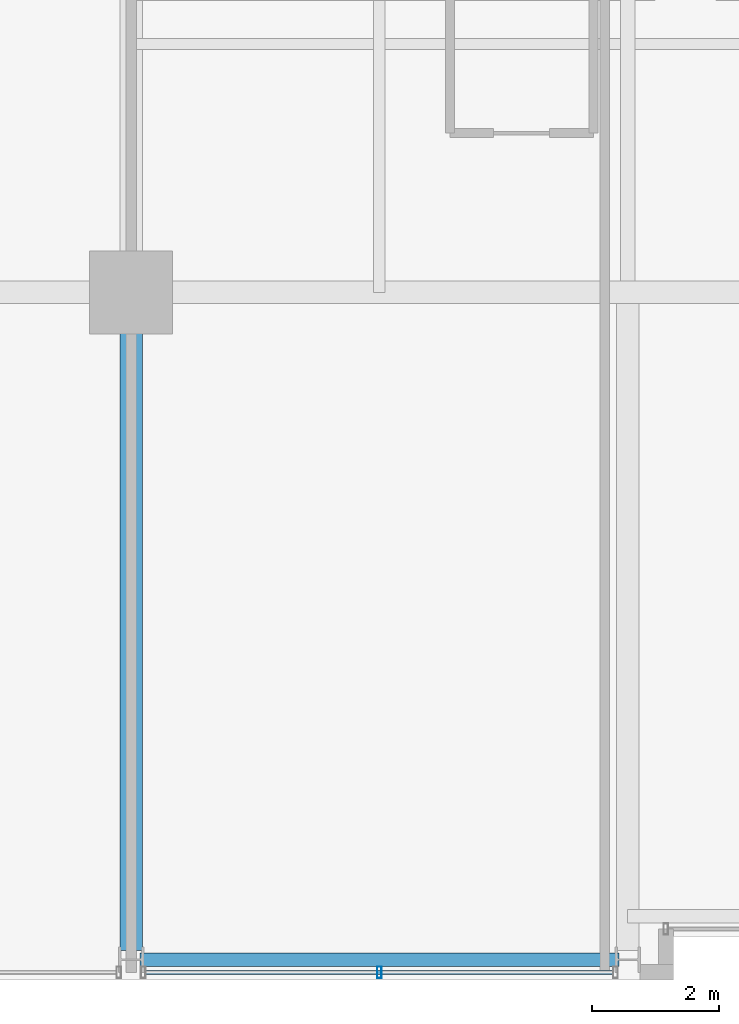
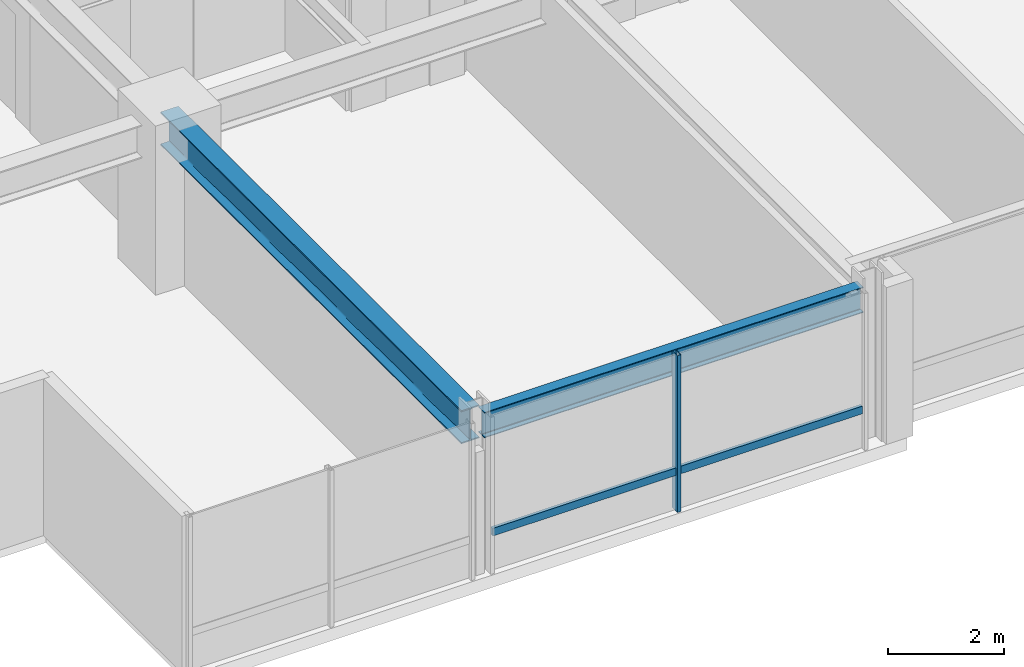
# One storey, part 3 of 33: 2 beams, 2 members, 1 element without a shape of its own.
"""IFC4 building model written with IfcOpenShell, lengths in metres."""

from ifc_helpers import new_model, si_unit, direction, frame, origin, origin_2d, place, context, subcontext, project, spatial, hollow_rectangle, i_section, extrude, material, layer, layer_set, material_profile, profile_set, type_object, element, aggregate, save


model = new_model("IFC4")

# Units and contexts
model_context = context("Model", 3, precision=1e-05, world=origin(), true_north=direction((0.0, 1.0)))
body_context = subcontext(model_context, "Body", "Model", "MODEL_VIEW")
ifc_project = project(units=[si_unit("LENGTHUNIT", "METRE"), si_unit("AREAUNIT", "SQUARE_METRE"), si_unit("VOLUMEUNIT", "CUBIC_METRE"), si_unit("PLANEANGLEUNIT", "RADIAN"), si_unit("MASSUNIT", "GRAM", prefix="KILO")], contexts=[model_context])

# Site, building, storey
site_placement = place(None, origin())
site = spatial("IfcSite", under=ifc_project, at=site_placement, CompositionType="ELEMENT")
building_placement = place(site_placement, origin())
building = spatial("IfcBuilding", under=site, at=building_placement, Name="Drelvath Grand Hotel", CompositionType="ELEMENT")
storey_placement = place(building_placement, frame((0.0, 0.0, 178.800048828125)))
storey = spatial("IfcBuildingStorey", under=building, at=storey_placement, Name="L46", CompositionType="ELEMENT", Elevation=178.800048828125)

# Curtain wall, members
ifc_material_1 = material(Name="Brushed Pale-Silver Anodised Aluminium Frame", Category="aluminium")
ifc_layer = layer(ifc_material_1, 0.199951171875)
ifc_layer_set = layer_set([ifc_layer], Name="Brushed Pale-Silver Anodised Aluminium Frame")
curtain_wall_type = type_object("IfcCurtainWallType", Name="Stick Curtain Wall CW-04 Brushed Silver Upper-Mid", PredefinedType="NOTDEFINED", material=ifc_layer_set)
curtain_wall_placement = place(storey_placement, origin())
curtain_wall = element("IfcCurtainWall", 1, at=curtain_wall_placement, inside=storey, type_object=curtain_wall_type, Name="L46 CW-04 Curtain Wall CW04-L46-SW2", PredefinedType="NOTDEFINED")
ifc_material_profile_1 = material_profile(ifc_material_1, hollow_rectangle(XDim=0.06494140625, YDim=0.159912109375, WallThickness=0.00390625, at=origin_2d()), Name="HSS160X65X4")
ifc_profile_set_1 = profile_set([ifc_material_profile_1], Name="Brushed Pale-Silver Anodised Aluminium Frame")
member_type_1 = type_object("IfcMemberType", Name="Curtain Wall Horizontal Transom CW-04 HSS160X65X4", PredefinedType="USERDEFINED", material=ifc_profile_set_1)
member_1_placement = place(storey_placement, frame((-8.631591796875, 0.1201171875, 0.822509765625), z_axis=(-1.0, 0.0, 0.0), x_axis=(0.0, -1.0, 0.0)))
member_1 = element("IfcMember", 2, at=member_1_placement, type_object=member_type_1, Name="CW04-L46-SW2 Sill Transom", ObjectType="TRANSOM", PredefinedType="USERDEFINED", context=body_context, shape_type="SweptSolid", body=[
    extrude(hollow_rectangle(XDim=0.06494140625, YDim=0.159912109375, WallThickness=0.00390625, at=origin_2d()), origin(), (0.0, 0.0, 1.0), 7.3369140625),
])
ifc_material_profile_2 = material_profile(ifc_material_1, hollow_rectangle(XDim=0.074951171875, YDim=0.179931640625, WallThickness=0.0048828125, at=origin_2d()), Name="HSS180X75X5")
ifc_profile_set_2 = profile_set([ifc_material_profile_2], Name="Brushed Pale-Silver Anodised Aluminium Frame")
member_type_2 = type_object("IfcMemberType", Name="Curtain Wall Vertical Mullion CW-04 HSS180X75X5", PredefinedType="MULLION", material=ifc_profile_set_2)
member_2_placement = place(storey_placement, frame((-12.300048828125, 0.1201171875, 0.0), z_axis=(0.0, 0.0, 1.0), x_axis=(1.0, 0.0, 0.0)))
member_2 = element("IfcMember", 3, at=member_2_placement, type_object=member_type_2, Name="CW04-L46-SW2 Mullion 2", PredefinedType="MULLION", context=body_context, shape_type="SweptSolid", body=[
    extrude(hollow_rectangle(XDim=0.074951171875, YDim=0.179931640625, WallThickness=0.0048828125, at=origin_2d()), origin(), (0.0, 0.0, 1.0), 3.2900390625),
])
aggregate(curtain_wall, [member_2, member_1])

# Beams
ifc_material_2 = material(Name="Steel ASTM A992 Gr 50", Category="steel")
ifc_material_profile_3 = material_profile(ifc_material_2, i_section(OverallWidth=0.210205078125, OverallDepth=0.53662109375, WebThickness=0.010986328125, FlangeThickness=0.017333984375, FilletRadius=0.01806640625, at=origin_2d()), Name="W21X68")
ifc_profile_set_3 = profile_set([ifc_material_profile_3], Name="Steel ASTM A992 Gr 50")
beam_type_1 = type_object("IfcBeamType", Name="Perimeter Spandrel Beam W21X68", PredefinedType="SPANDREL", material=ifc_profile_set_3)
beam_1_placement = place(storey_placement, frame((-16.06005859375, 0.320068359375, 3.021728515625), z_axis=(1.0, 0.0, 0.0), x_axis=(0.0, 1.0, 0.0)))
element("IfcBeam", 4, at=beam_1_placement, inside=storey, type_object=beam_type_1, Name="L46 Spandrel South W", PredefinedType="SPANDREL", context=body_context, shape_type="SweptSolid", body=[
    extrude(i_section(OverallWidth=0.210205078125, OverallDepth=0.53662109375, WebThickness=0.010986328125, FlangeThickness=0.017333984375, FilletRadius=0.01806640625, at=origin_2d()), origin(), (0.0, 0.0, 1.0), 7.52001953125),
])
ifc_material_profile_4 = material_profile(ifc_material_2, i_section(OverallWidth=0.354736328125, OverallDepth=0.695556640625, WebThickness=0.015380859375, FlangeThickness=0.025146484375, FilletRadius=0.02392578125, at=origin_2d()), Name="W27X146")
ifc_profile_set_4 = profile_set([ifc_material_profile_4], Name="Steel ASTM A992 Gr 50")
beam_type_2 = type_object("IfcBeamType", Name="Primary Floor Girder W27X146", PredefinedType="BEAM", material=ifc_profile_set_4)
beam_2_placement = place(storey_placement, frame((-16.199951171875, 0.4599609375, 2.942138671875), z_axis=(0.0, 1.0, 0.0), x_axis=(-1.0, 0.0, 0.0)))
element("IfcBeam", 5, at=beam_2_placement, inside=storey, type_object=beam_type_2, Name="L46 South Grid Girder 3", PredefinedType="BEAM", context=body_context, shape_type="SweptSolid", body=[
    extrude(i_section(OverallWidth=0.354736328125, OverallDepth=0.695556640625, WebThickness=0.015380859375, FlangeThickness=0.025146484375, FilletRadius=0.02392578125, at=origin_2d()), origin(), (0.0, 0.0, 1.0), 10.340087890625),
])

save(model, "model.ifc")
